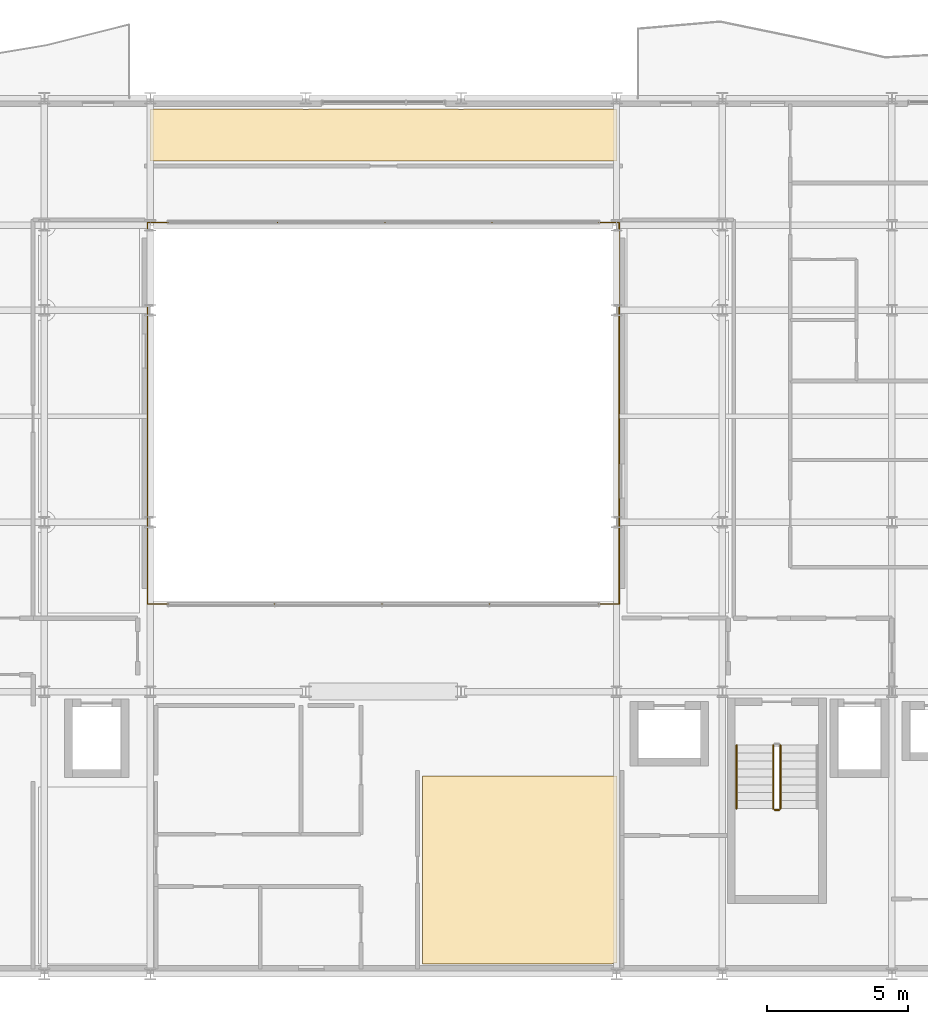
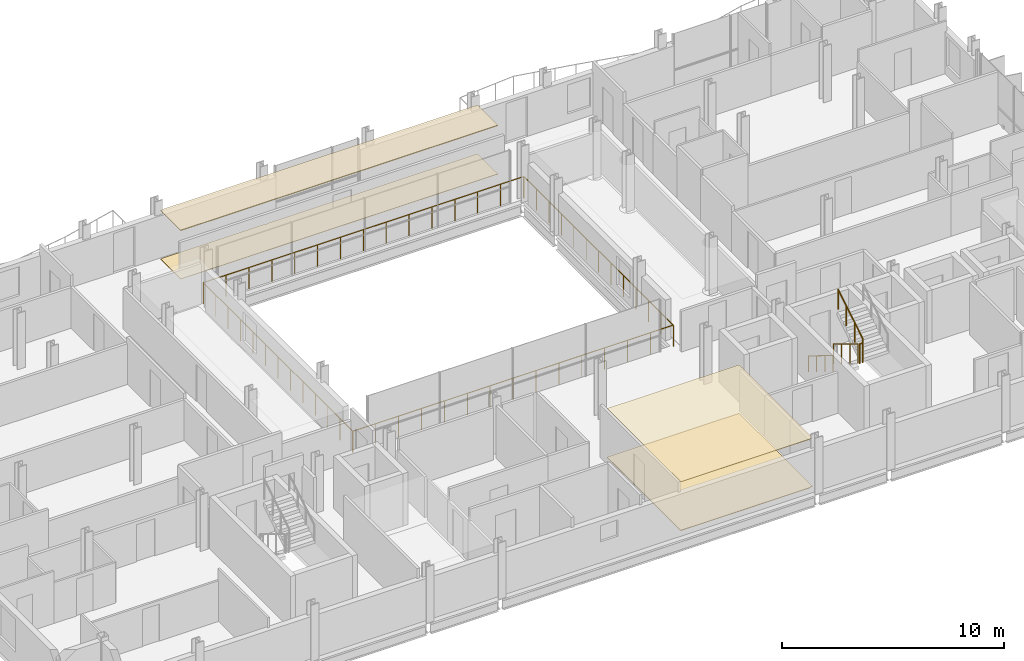
# One storey, part 38 of 40: 6 railings, 4 coverings.
"""IFC4 building model written with IfcOpenShell, lengths in metres."""

from ifc_helpers import new_model, si_unit, direction, frame, origin, origin_2d, place, context, subcontext, project, spatial, polyline, circle, outline, extrude, material, layer, layer_set, type_object, element, save


model = new_model("IFC4")

# Units and contexts
model_context = context("Model", 3, precision=1e-05, world=origin(), true_north=direction((0.0, 1.0)))
body_context = subcontext(model_context, "Body", "Model", "MODEL_VIEW")
ifc_project = project(units=[si_unit("LENGTHUNIT", "METRE"), si_unit("AREAUNIT", "SQUARE_METRE"), si_unit("VOLUMEUNIT", "CUBIC_METRE"), si_unit("PLANEANGLEUNIT", "RADIAN"), si_unit("MASSUNIT", "GRAM", prefix="KILO")], contexts=[model_context])

# Site, building, storey
site_placement = place(None, origin())
site = spatial("IfcSite", under=ifc_project, at=site_placement, CompositionType="ELEMENT")
building_placement = place(site_placement, origin())
building = spatial("IfcBuilding", under=site, at=building_placement, Name="Brevholm Reach", CompositionType="ELEMENT")
storey_placement = place(building_placement, frame((0.0, 0.0, 148.0)))
storey = spatial("IfcBuildingStorey", under=building, at=storey_placement, Name="L44", CompositionType="ELEMENT", Elevation=148.0)

# Coverings
ifc_material_1 = material(Name="Perforated Mineral-Fibre Class-A Acoustic Suspended Ceiling", Category="gypsum")
ifc_layer_1 = layer(ifc_material_1, 0.044921875)
ifc_layer_set_1 = layer_set([ifc_layer_1], Name="Perforated Mineral-Fibre Class-A Acoustic Suspended Ceiling")
covering_type_1 = type_object("IfcCoveringType", Name="COV-CLG-AC", PredefinedType="CEILING", material=ifc_layer_set_1)
covering_1_placement = place(storey_placement, frame((0.0, 0.0, 2.6650390625)))
element("IfcCovering", 1, at=covering_1_placement, inside=storey, type_object=covering_type_1, Name="L44 Suspended Ceiling L44-60", PredefinedType="CEILING", context=body_context, shape_type="SweptSolid", body=[
    extrude(outline(polyline([(27.126220703125, 30.6201171875), (27.1337890625, 30.6171875), (27.172119140625, 30.607666015625), (27.210693359375, 30.601806640625), (27.25, 30.60009765625), (27.289306640625, 30.601806640625), (27.327880859375, 30.607666015625), (27.3662109375, 30.6171875), (27.373779296875, 30.6201171875), (32.626220703125, 30.6201171875), (32.6337890625, 30.6171875), (32.672119140625, 30.607666015625), (32.710693359375, 30.601806640625), (32.75, 30.60009765625), (32.789306640625, 30.601806640625), (32.827880859375, 30.607666015625), (32.8662109375, 30.6171875), (32.873779296875, 30.6201171875), (38.126220703125, 30.6201171875), (38.1337890625, 30.6171875), (38.172119140625, 30.607666015625), (38.210693359375, 30.601806640625), (38.25, 30.60009765625), (38.26611328125, 30.600830078125), (38.26611328125, 28.783935546875), (21.73388671875, 28.783935546875), (21.73388671875, 30.600830078125), (21.75, 30.60009765625), (21.789306640625, 30.601806640625), (21.827880859375, 30.607666015625), (21.8662109375, 30.6171875), (21.873779296875, 30.6201171875), (27.126220703125, 30.6201171875)])), origin(), (0.0, 0.0, 1.0), 0.044921875),
])
ifc_material_2 = material(Name="Moisture-Resistant Skimmed Gypsum Plasterboard Ceiling", Category="gypsum")
ifc_layer_2 = layer(ifc_material_2, 0.030029296875)
ifc_layer_set_2 = layer_set([ifc_layer_2], Name="Moisture-Resistant Skimmed Gypsum Plasterboard Ceiling")
covering_type_2 = type_object("IfcCoveringType", Name="COV-CLG-GYP", PredefinedType="CEILING", material=ifc_layer_set_2)
covering_2_placement = place(storey_placement, frame((0.0, 0.0, 2.679931640625)))
element("IfcCovering", 2, at=covering_2_placement, inside=storey, type_object=covering_type_2, Name="L44 Suspended Ceiling L44-14", PredefinedType="CEILING", context=body_context, shape_type="SweptSolid", body=[
    extrude(outline(polyline([(38.27001953125, 7.02001953125), (38.27001953125, 0.39892578125), (38.25, 0.39990234375), (38.210693359375, 0.398193359375), (38.172119140625, 0.392333984375), (38.1337890625, 0.3828125), (38.096923828125, 0.36962890625), (38.07666015625, 0.360107421875), (31.384033203125, 0.360107421875), (31.384033203125, 7.02001953125), (38.27001953125, 7.02001953125)])), origin(), (0.0, 0.0, 1.0), 0.030029296875),
])
ifc_material_3 = material(Name="Engineered European Oak Acoustic Plank Flooring", Category="timber")
ifc_layer_3 = layer(ifc_material_3, 0.02197265625)
ifc_layer_set_3 = layer_set([ifc_layer_3], Name="Engineered European Oak Acoustic Plank Flooring")
covering_type_3 = type_object("IfcCoveringType", Name="COV-FLR-OAK", PredefinedType="FLOORING", material=ifc_layer_set_3)
covering_3_placement = place(storey_placement, origin())
element("IfcCovering", 3, at=covering_3_placement, inside=storey, type_object=covering_type_3, Name="L44 Floor Finish L44-60", PredefinedType="FLOORING", context=body_context, shape_type="SweptSolid", body=[
    extrude(outline(polyline([(27.126220703125, 30.6201171875), (27.1337890625, 30.6171875), (27.172119140625, 30.607666015625), (27.210693359375, 30.601806640625), (27.25, 30.60009765625), (27.289306640625, 30.601806640625), (27.327880859375, 30.607666015625), (27.3662109375, 30.6171875), (27.373779296875, 30.6201171875), (32.626220703125, 30.6201171875), (32.6337890625, 30.6171875), (32.672119140625, 30.607666015625), (32.710693359375, 30.601806640625), (32.75, 30.60009765625), (32.789306640625, 30.601806640625), (32.827880859375, 30.607666015625), (32.8662109375, 30.6171875), (32.873779296875, 30.6201171875), (38.126220703125, 30.6201171875), (38.1337890625, 30.6171875), (38.172119140625, 30.607666015625), (38.210693359375, 30.601806640625), (38.25, 30.60009765625), (38.26611328125, 30.600830078125), (38.26611328125, 28.783935546875), (21.73388671875, 28.783935546875), (21.73388671875, 30.600830078125), (21.75, 30.60009765625), (21.789306640625, 30.601806640625), (21.827880859375, 30.607666015625), (21.8662109375, 30.6171875), (21.873779296875, 30.6201171875), (27.126220703125, 30.6201171875)])), origin(), (0.0, 0.0, 1.0), 0.02197265625),
])
ifc_material_4 = material(Name="Honed Portland-Aggregate Resin Terrazzo Flooring", Category="concrete")
ifc_layer_4 = layer(ifc_material_4, 0.031982421875)
ifc_layer_set_4 = layer_set([ifc_layer_4], Name="Honed Portland-Aggregate Resin Terrazzo Flooring")
covering_type_4 = type_object("IfcCoveringType", Name="COV-FLR-TRZ", PredefinedType="FLOORING", material=ifc_layer_set_4)
covering_4_placement = place(storey_placement, origin())
element("IfcCovering", 4, at=covering_4_placement, inside=storey, type_object=covering_type_4, Name="L44 Floor Finish L44-14", PredefinedType="FLOORING", context=body_context, shape_type="SweptSolid", body=[
    extrude(outline(polyline([(38.27001953125, 7.02001953125), (38.27001953125, 0.39892578125), (38.25, 0.39990234375), (38.210693359375, 0.398193359375), (38.172119140625, 0.392333984375), (38.1337890625, 0.3828125), (38.096923828125, 0.36962890625), (38.07666015625, 0.360107421875), (31.384033203125, 0.360107421875), (31.384033203125, 7.02001953125), (38.27001953125, 7.02001953125)])), origin(), (0.0, 0.0, 1.0), 0.031982421875),
])

# Railings
ifc_material_5 = material(Name="Brushed Stainless Steel EN 1.4401 Continuous Handrail", Category="steel")
railing_type_1 = type_object("IfcRailingType", Name="RAL-HND-950", PredefinedType="HANDRAIL", material=ifc_material_5)
railing_1_placement = place(storey_placement, frame((42.5, 8.10009765625, 0.172119140625)))
element("IfcRailing", 5, at=railing_1_placement, inside=storey, type_object=railing_type_1, Name="L44 ST-2 stair handrail 1", PredefinedType="HANDRAIL", context=body_context, shape_type="SweptSolid", body=[
    extrude(circle(Radius=0.02392578125, at=origin_2d()), frame((0.0, 0.0, 0.8857421875), z_axis=(0.0, -0.851747552033, 0.523952390591), x_axis=(1.0, 0.0, 0.0)), (0.0, 0.0, 1.0), 2.6298828125),
    extrude(circle(Radius=0.02099609375, at=origin_2d()), origin(), (0.0, 0.0, 1.0), 0.86181640625),
    extrude(circle(Radius=0.02099609375, at=origin_2d()), frame((0.0, -0.74658203125, 0.459228515625)), (0.0, 0.0, 1.0), 0.86181640625),
    extrude(circle(Radius=0.02099609375, at=origin_2d()), frame((0.0, -1.493408203125, 0.918701171875)), (0.0, 0.0, 1.0), 0.86181640625),
    extrude(circle(Radius=0.02099609375, at=origin_2d()), frame((0.0, -2.239990234375, 1.3779296875)), (0.0, 0.0, 1.0), 0.86181640625),
])
ifc_material_6 = material(Name="Painted Tubular Galvanised Steel S275JR Stair Guard", Category="steel")
railing_type_2 = type_object("IfcRailingType", Name="RAL-STG-1120", PredefinedType="BALUSTRADE", material=ifc_material_6)
railing_2_placement = place(storey_placement, frame((43.800048828125, 8.10009765625, 0.172119140625)))
element("IfcRailing", 6, at=railing_2_placement, inside=storey, type_object=railing_type_2, Name="L44 ST-2 stair guard 1", PredefinedType="BALUSTRADE", context=body_context, shape_type="SweptSolid", body=[
    extrude(circle(Radius=0.02392578125, at=origin_2d()), frame((0.0, 0.0, 1.076171875), z_axis=(0.0, -0.851747552033, 0.523952390591), x_axis=(1.0, 0.0, 0.0)), (0.0, 0.0, 1.0), 2.6298828125),
    extrude(circle(Radius=0.02099609375, at=origin_2d()), origin(), (0.0, 0.0, 1.0), 1.052001953125),
    extrude(circle(Radius=0.02099609375, at=origin_2d()), frame((0.0, -0.74658203125, 0.459228515625)), (0.0, 0.0, 1.0), 1.052001953125),
    extrude(circle(Radius=0.02099609375, at=origin_2d()), frame((0.0, -1.493408203125, 0.918701171875)), (0.0, 0.0, 1.0), 1.052001953125),
    extrude(circle(Radius=0.02099609375, at=origin_2d()), frame((0.0, -2.239990234375, 1.3779296875)), (0.0, 0.0, 1.0), 1.052001953125),
])
railing_3_placement = place(storey_placement, frame((43.85009765625, 5.81005859375, 1.550048828125)))
element("IfcRailing", 7, at=railing_3_placement, inside=storey, type_object=railing_type_2, Name="L44 ST-2 stair guard 2", PredefinedType="BALUSTRADE", context=body_context, shape_type="SweptSolid", body=[
    extrude(circle(Radius=0.02392578125, at=origin_2d()), frame((0.0, 0.0, 1.076171875), z_axis=(1.0, 0.0, 0.0), x_axis=(0.0, 1.0, 0.0)), (0.0, 0.0, 1.0), 0.14990234375),
    extrude(circle(Radius=0.02099609375, at=origin_2d()), origin(), (0.0, 0.0, 1.0), 1.052001953125),
    extrude(circle(Radius=0.02099609375, at=origin_2d()), frame((0.14990234375, 0.0, 0.0)), (0.0, 0.0, 1.0), 1.052001953125),
])
railing_4_placement = place(storey_placement, frame((44.050048828125, 5.860107421875, 1.72216796875)))
element("IfcRailing", 8, at=railing_4_placement, inside=storey, type_object=railing_type_2, Name="L44 ST-2 stair guard 3", PredefinedType="BALUSTRADE", context=body_context, shape_type="SweptSolid", body=[
    extrude(circle(Radius=0.02392578125, at=origin_2d()), frame((0.0, 0.0, 1.076171875), z_axis=(0.0, 0.851747552033, 0.523952390591), x_axis=(-1.0, 0.0, 0.0)), (0.0, 0.0, 1.0), 2.6298828125),
    extrude(circle(Radius=0.02099609375, at=origin_2d()), origin(), (0.0, 0.0, 1.0), 1.052001953125),
    extrude(circle(Radius=0.02099609375, at=origin_2d()), frame((0.0, 0.74658203125, 0.459228515625)), (0.0, 0.0, 1.0), 1.052001953125),
    extrude(circle(Radius=0.02099609375, at=origin_2d()), frame((0.0, 1.493408203125, 0.918701171875)), (0.0, 0.0, 1.0), 1.052001953125),
    extrude(circle(Radius=0.02099609375, at=origin_2d()), frame((0.0, 2.239990234375, 1.3779296875)), (0.0, 0.0, 1.0), 1.052001953125),
])
ifc_material_7 = material(Name="Brushed Stainless Steel EN 1.4401 and Laminated Glass", Category="steel")
railing_type_3 = type_object("IfcRailingType", Name="RAL-TERR-1200", PredefinedType="BALUSTRADE", material=ifc_material_7)
railing_5_placement = place(storey_placement, frame((21.64990234375, 13.10009765625, 0.0)))
element("IfcRailing", 9, at=railing_5_placement, inside=storey, type_object=railing_type_3, Name="L44 Guard Balustrade RAL-L44-AT-VOID-SW", PredefinedType="BALUSTRADE", context=body_context, shape_type="SweptSolid", body=[
    extrude(circle(Radius=0.02392578125, at=origin_2d()), frame((0.0, 0.0, 1.17578125), z_axis=(1.0, 0.0, 0.0), x_axis=(0.0, 1.0, 0.0)), (0.0, 0.0, 1.0), 16.7001953125),
    extrude(circle(Radius=0.02392578125, at=origin_2d()), frame((16.7001953125, 0.0, 1.17578125), z_axis=(0.0, 1.0, 0.0), x_axis=(-1.0, 0.0, 0.0)), (0.0, 0.0, 1.0), 13.47998046875),
    extrude(circle(Radius=0.02099609375, at=origin_2d()), origin(), (0.0, 0.0, 1.0), 1.15185546875),
    extrude(circle(Radius=0.02099609375, at=origin_2d()), frame((1.19287109375, 0.0, 0.0)), (0.0, 0.0, 1.0), 1.15185546875),
    extrude(circle(Radius=0.02099609375, at=origin_2d()), frame((2.3857421875, 0.0, 0.0)), (0.0, 0.0, 1.0), 1.15185546875),
    extrude(circle(Radius=0.02099609375, at=origin_2d()), frame((3.57861328125, 0.0, 0.0)), (0.0, 0.0, 1.0), 1.15185546875),
    extrude(circle(Radius=0.02099609375, at=origin_2d()), frame((4.771484375, 0.0, 0.0)), (0.0, 0.0, 1.0), 1.15185546875),
    extrude(circle(Radius=0.02099609375, at=origin_2d()), frame((5.96435546875, 0.0, 0.0)), (0.0, 0.0, 1.0), 1.15185546875),
    extrude(circle(Radius=0.02099609375, at=origin_2d()), frame((7.1572265625, 0.0, 0.0)), (0.0, 0.0, 1.0), 1.15185546875),
    extrude(circle(Radius=0.02099609375, at=origin_2d()), frame((8.35009765625, 0.0, 0.0)), (0.0, 0.0, 1.0), 1.15185546875),
    extrude(circle(Radius=0.02099609375, at=origin_2d()), frame((9.54296875, 0.0, 0.0)), (0.0, 0.0, 1.0), 1.15185546875),
    extrude(circle(Radius=0.02099609375, at=origin_2d()), frame((10.73583984375, 0.0, 0.0)), (0.0, 0.0, 1.0), 1.15185546875),
    extrude(circle(Radius=0.02099609375, at=origin_2d()), frame((11.9287109375, 0.0, 0.0)), (0.0, 0.0, 1.0), 1.15185546875),
    extrude(circle(Radius=0.02099609375, at=origin_2d()), frame((13.12158203125, 0.0, 0.0)), (0.0, 0.0, 1.0), 1.15185546875),
    extrude(circle(Radius=0.02099609375, at=origin_2d()), frame((14.314453125, 0.0, 0.0)), (0.0, 0.0, 1.0), 1.15185546875),
    extrude(circle(Radius=0.02099609375, at=origin_2d()), frame((15.50732421875, 0.0, 0.0)), (0.0, 0.0, 1.0), 1.15185546875),
    extrude(circle(Radius=0.02099609375, at=origin_2d()), frame((16.7001953125, 0.0, 0.0)), (0.0, 0.0, 1.0), 1.15185546875),
    extrude(circle(Radius=0.02099609375, at=origin_2d()), frame((16.7001953125, 1.123291015625, 0.0)), (0.0, 0.0, 1.0), 1.15185546875),
    extrude(circle(Radius=0.02099609375, at=origin_2d()), frame((16.7001953125, 2.24658203125, 0.0)), (0.0, 0.0, 1.0), 1.15185546875),
    extrude(circle(Radius=0.02099609375, at=origin_2d()), frame((16.7001953125, 3.3701171875, 0.0)), (0.0, 0.0, 1.0), 1.15185546875),
    extrude(circle(Radius=0.02099609375, at=origin_2d()), frame((16.7001953125, 4.493408203125, 0.0)), (0.0, 0.0, 1.0), 1.15185546875),
    extrude(circle(Radius=0.02099609375, at=origin_2d()), frame((16.7001953125, 5.61669921875, 0.0)), (0.0, 0.0, 1.0), 1.15185546875),
    extrude(circle(Radius=0.02099609375, at=origin_2d()), frame((16.7001953125, 6.739990234375, 0.0)), (0.0, 0.0, 1.0), 1.15185546875),
    extrude(circle(Radius=0.02099609375, at=origin_2d()), frame((16.7001953125, 7.86328125, 0.0)), (0.0, 0.0, 1.0), 1.15185546875),
    extrude(circle(Radius=0.02099609375, at=origin_2d()), frame((16.7001953125, 8.986572265625, 0.0)), (0.0, 0.0, 1.0), 1.15185546875),
    extrude(circle(Radius=0.02099609375, at=origin_2d()), frame((16.7001953125, 10.10986328125, 0.0)), (0.0, 0.0, 1.0), 1.15185546875),
    extrude(circle(Radius=0.02099609375, at=origin_2d()), frame((16.7001953125, 11.2333984375, 0.0)), (0.0, 0.0, 1.0), 1.15185546875),
    extrude(circle(Radius=0.02099609375, at=origin_2d()), frame((16.7001953125, 12.356689453125, 0.0)), (0.0, 0.0, 1.0), 1.15185546875),
    extrude(circle(Radius=0.02099609375, at=origin_2d()), frame((16.7001953125, 13.47998046875, 0.0)), (0.0, 0.0, 1.0), 1.15185546875),
])
railing_6_placement = place(storey_placement, frame((38.330078125, 26.60009765625, 0.0)))
element("IfcRailing", 10, at=railing_6_placement, inside=storey, type_object=railing_type_3, Name="L44 Guard Balustrade RAL-L44-AT-VOID-NE", PredefinedType="BALUSTRADE", context=body_context, shape_type="SweptSolid", body=[
    extrude(circle(Radius=0.02392578125, at=origin_2d()), frame((0.0, 0.0, 1.17578125), z_axis=(-1.0, 0.0, 0.0), x_axis=(0.0, -1.0, 0.0)), (0.0, 0.0, 1.0), 16.68017578125),
    extrude(circle(Radius=0.02392578125, at=origin_2d()), frame((-16.68017578125, 0.0, 1.17578125), z_axis=(0.0, -1.0, 0.0), x_axis=(1.0, 0.0, 0.0)), (0.0, 0.0, 1.0), 13.47998046875),
    extrude(circle(Radius=0.02099609375, at=origin_2d()), origin(), (0.0, 0.0, 1.0), 1.15185546875),
    extrude(circle(Radius=0.02099609375, at=origin_2d()), frame((-1.19140625, 0.0, 0.0)), (0.0, 0.0, 1.0), 1.15185546875),
    extrude(circle(Radius=0.02099609375, at=origin_2d()), frame((-2.3828125, 0.0, 0.0)), (0.0, 0.0, 1.0), 1.15185546875),
    extrude(circle(Radius=0.02099609375, at=origin_2d()), frame((-3.57421875, 0.0, 0.0)), (0.0, 0.0, 1.0), 1.15185546875),
    extrude(circle(Radius=0.02099609375, at=origin_2d()), frame((-4.765869140625, 0.0, 0.0)), (0.0, 0.0, 1.0), 1.15185546875),
    extrude(circle(Radius=0.02099609375, at=origin_2d()), frame((-5.957275390625, 0.0, 0.0)), (0.0, 0.0, 1.0), 1.15185546875),
    extrude(circle(Radius=0.02099609375, at=origin_2d()), frame((-7.148681640625, 0.0, 0.0)), (0.0, 0.0, 1.0), 1.15185546875),
    extrude(circle(Radius=0.02099609375, at=origin_2d()), frame((-8.340087890625, 0.0, 0.0)), (0.0, 0.0, 1.0), 1.15185546875),
    extrude(circle(Radius=0.02099609375, at=origin_2d()), frame((-9.531494140625, 0.0, 0.0)), (0.0, 0.0, 1.0), 1.15185546875),
    extrude(circle(Radius=0.02099609375, at=origin_2d()), frame((-10.722900390625, 0.0, 0.0)), (0.0, 0.0, 1.0), 1.15185546875),
    extrude(circle(Radius=0.02099609375, at=origin_2d()), frame((-11.914306640625, 0.0, 0.0)), (0.0, 0.0, 1.0), 1.15185546875),
    extrude(circle(Radius=0.02099609375, at=origin_2d()), frame((-13.10595703125, 0.0, 0.0)), (0.0, 0.0, 1.0), 1.15185546875),
    extrude(circle(Radius=0.02099609375, at=origin_2d()), frame((-14.29736328125, 0.0, 0.0)), (0.0, 0.0, 1.0), 1.15185546875),
    extrude(circle(Radius=0.02099609375, at=origin_2d()), frame((-15.48876953125, 0.0, 0.0)), (0.0, 0.0, 1.0), 1.15185546875),
    extrude(circle(Radius=0.02099609375, at=origin_2d()), frame((-16.68017578125, 0.0, 0.0)), (0.0, 0.0, 1.0), 1.15185546875),
    extrude(circle(Radius=0.02099609375, at=origin_2d()), frame((-16.68017578125, -1.123291015625, 0.0)), (0.0, 0.0, 1.0), 1.15185546875),
    extrude(circle(Radius=0.02099609375, at=origin_2d()), frame((-16.68017578125, -2.24658203125, 0.0)), (0.0, 0.0, 1.0), 1.15185546875),
    extrude(circle(Radius=0.02099609375, at=origin_2d()), frame((-16.68017578125, -3.3701171875, 0.0)), (0.0, 0.0, 1.0), 1.15185546875),
    extrude(circle(Radius=0.02099609375, at=origin_2d()), frame((-16.68017578125, -4.493408203125, 0.0)), (0.0, 0.0, 1.0), 1.15185546875),
    extrude(circle(Radius=0.02099609375, at=origin_2d()), frame((-16.68017578125, -5.61669921875, 0.0)), (0.0, 0.0, 1.0), 1.15185546875),
    extrude(circle(Radius=0.02099609375, at=origin_2d()), frame((-16.68017578125, -6.739990234375, 0.0)), (0.0, 0.0, 1.0), 1.15185546875),
    extrude(circle(Radius=0.02099609375, at=origin_2d()), frame((-16.68017578125, -7.86328125, 0.0)), (0.0, 0.0, 1.0), 1.15185546875),
    extrude(circle(Radius=0.02099609375, at=origin_2d()), frame((-16.68017578125, -8.986572265625, 0.0)), (0.0, 0.0, 1.0), 1.15185546875),
    extrude(circle(Radius=0.02099609375, at=origin_2d()), frame((-16.68017578125, -10.10986328125, 0.0)), (0.0, 0.0, 1.0), 1.15185546875),
    extrude(circle(Radius=0.02099609375, at=origin_2d()), frame((-16.68017578125, -11.2333984375, 0.0)), (0.0, 0.0, 1.0), 1.15185546875),
    extrude(circle(Radius=0.02099609375, at=origin_2d()), frame((-16.68017578125, -12.356689453125, 0.0)), (0.0, 0.0, 1.0), 1.15185546875),
    extrude(circle(Radius=0.02099609375, at=origin_2d()), frame((-16.68017578125, -13.47998046875, 0.0)), (0.0, 0.0, 1.0), 1.15185546875),
])

save(model, "model.ifc")
